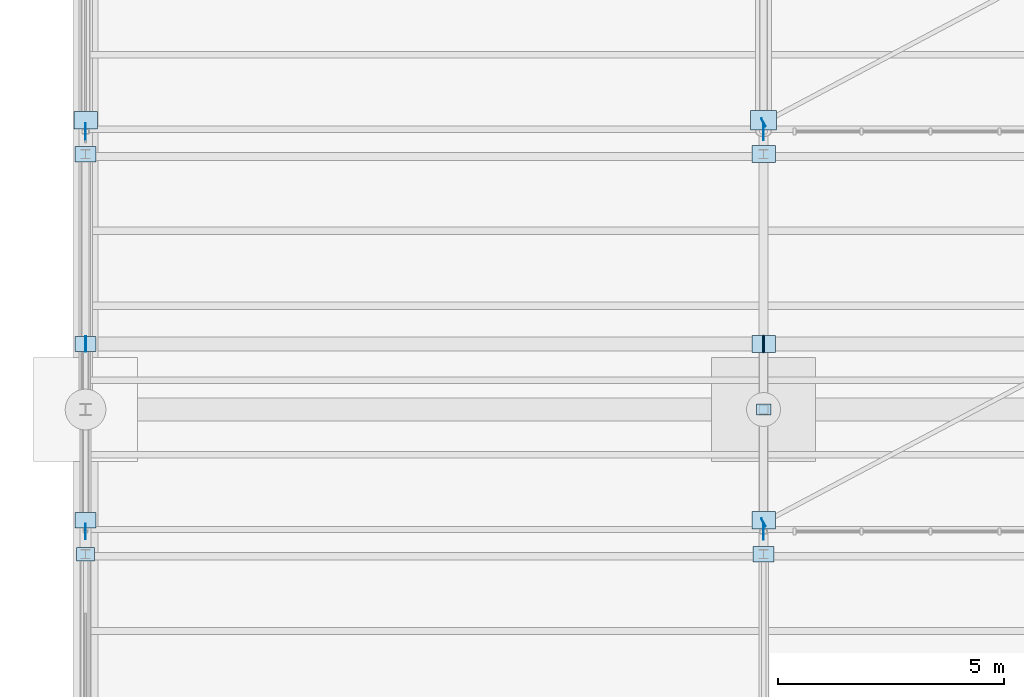
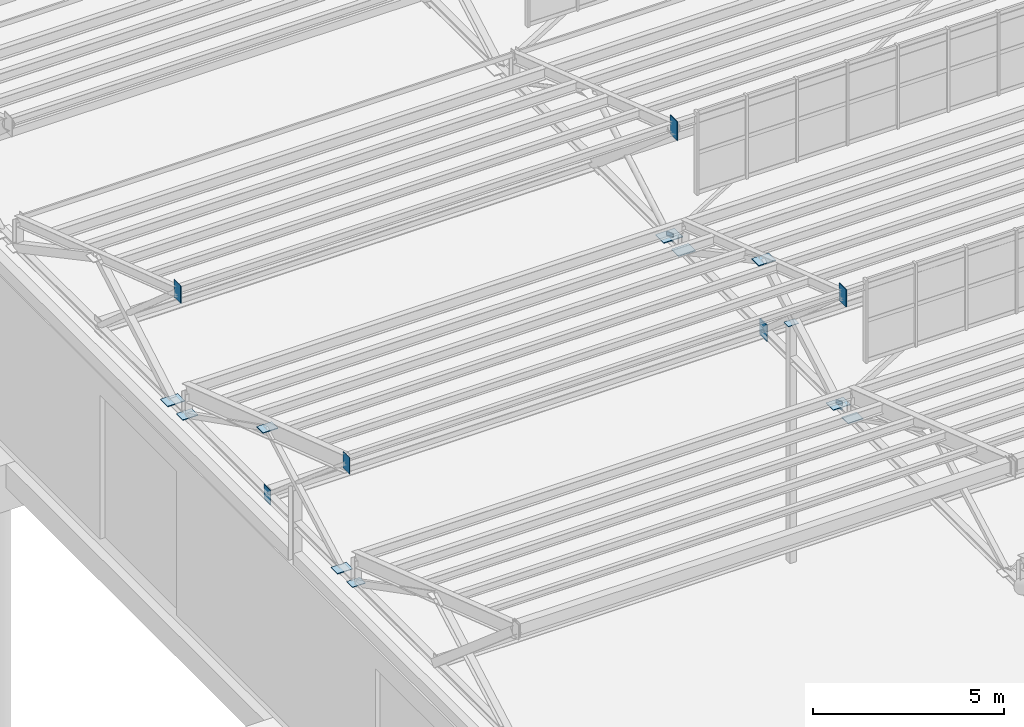
# One storey, part 196 of 285: 19 plates.
"""IFC4 building model written with IfcOpenShell, lengths in metres."""

from ifc_helpers import new_model, si_unit, direction, frame, origin, origin_2d, place, context, subcontext, project, spatial, rectangle, extrude, material, layer, layer_set, type_object, element, save


model = new_model("IFC4")

# Units and contexts
model_context = context("Model", 3, precision=1e-05, world=origin(), true_north=direction((0.0, 1.0)))
body_context = subcontext(model_context, "Body", "Model", "MODEL_VIEW")
ifc_project = project(units=[si_unit("LENGTHUNIT", "METRE"), si_unit("AREAUNIT", "SQUARE_METRE"), si_unit("VOLUMEUNIT", "CUBIC_METRE"), si_unit("PLANEANGLEUNIT", "RADIAN"), si_unit("MASSUNIT", "GRAM", prefix="KILO")], contexts=[model_context])

# Site, building, storey
site_placement = place(None, origin())
site = spatial("IfcSite", under=ifc_project, at=site_placement, CompositionType="ELEMENT")
building_placement = place(site_placement, origin())
building = spatial("IfcBuilding", under=site, at=building_placement, Name="Solanera Park Tramway Depot", CompositionType="ELEMENT")
storey_placement = place(building_placement, origin())
storey = spatial("IfcBuildingStorey", under=building, at=storey_placement, Name="L00", CompositionType="ELEMENT", Elevation=0.0)

# Plates
ifc_material_1 = material(Name="Steel AS/NZS 3679.1 Grade 350", Category="steel")
ifc_layer_1 = layer(ifc_material_1, 0.013916015625)
ifc_layer_set_1 = layer_set([ifc_layer_1], Name="Steel AS/NZS 3679.1 Grade 350")
plate_type_1 = type_object("IfcPlateType", Name="Hollow End Cap and Base Plate 280x200x14", PredefinedType="USERDEFINED", material=ifc_layer_set_1)
for number, where, z_axis, x_axis, name in (
    (1, (14.999267578125, 82.49853515625, 6.35986328125), (0.0, 0.0, 1.0), (0.883520501477, 0.468392488698, 0.0), "Hollow Section Welded End Cap Plate #0410"),
    (2, (14.999267578125, 91.3486328125, 6.35986328125), (0.0, 0.0, 1.0), (0.883520501477, 0.468392488698, 0.0), "Hollow Section Welded End Cap Plate #0503"),
):
    element("IfcPlate", number, at=place(storey_placement, frame(where, z_axis=z_axis, x_axis=x_axis)), inside=storey, type_object=plate_type_1, Name=name, ObjectType="BASE PLATE", PredefinedType="USERDEFINED", context=body_context, shape_type="SweptSolid", body=[
        extrude(rectangle(XDim=0.013916015625, YDim=0.199951171875, at=origin_2d()), origin(), (0.0, 0.0, 1.0), 0.280029296875),
    ])
ifc_material_2 = material(Name="Steel AS/NZS 3679.1 Grade 350", Category="steel")
ifc_layer_2 = layer(ifc_material_2, 0.01611328125)
ifc_layer_set_2 = layer_set([ifc_layer_2], Name="Steel AS/NZS 3679.1 Grade 350")
plate_type_2 = type_object("IfcPlateType", Name="Hollow End Cap and Base Plate 320x240x16", PredefinedType="USERDEFINED", material=ifc_layer_set_2)
plate_1_placement = place(storey_placement, frame((15.0, 85.0, 7.595947265625), z_axis=(0.0, 0.0, 1.0), x_axis=(1.0, 0.0, 0.0)))
element("IfcPlate", 3, at=plate_1_placement, inside=storey, type_object=plate_type_2, Name="Hollow Column Sealed Cap Plate #0013", ObjectType="BASE PLATE", PredefinedType="USERDEFINED", context=body_context, shape_type="SweptSolid", body=[
    extrude(rectangle(XDim=0.320068359375, YDim=0.239990234375, at=origin_2d()), origin(), (0.0, 0.0, 1.0), 0.01611328125),
])
ifc_material_3 = material(Name="Steel AS/NZS 3679.1 Grade 350", Category="steel")
ifc_layer_3 = layer(ifc_material_3, 0.02001953125)
ifc_layer_set_3 = layer_set([ifc_layer_3], Name="Steel AS/NZS 3679.1 Grade 350")
plate_type_3 = type_object("IfcPlateType", Name="Hollow End Cap and Base Plate 400x300x20", PredefinedType="USERDEFINED", material=ifc_layer_set_3)
plate_2_placement = place(storey_placement, frame((0.0, 81.800048828125, 6.489990234375), z_axis=(0.0, 0.0, 1.0), x_axis=(1.0, 0.0, 0.0)))
element("IfcPlate", 4, at=plate_2_placement, inside=storey, type_object=plate_type_3, Name="Sawtooth Truss Node Cap Plate #0268", ObjectType="BASE PLATE", PredefinedType="USERDEFINED", context=body_context, shape_type="SweptSolid", body=[
    extrude(rectangle(XDim=0.39990234375, YDim=0.300048828125, at=origin_2d()), origin(), (0.0, 0.0, 1.0), 0.02001953125),
])
ifc_material_4 = material(Name="Steel AS/NZS 3679.1 Grade 350", Category="steel")
ifc_layer_4 = layer(ifc_material_4, 0.02197265625)
ifc_layer_set_4 = layer_set([ifc_layer_4], Name="Steel AS/NZS 3679.1 Grade 350")
plate_type_4 = type_object("IfcPlateType", Name="Hollow End Cap and Base Plate 460x340x22", PredefinedType="USERDEFINED", material=ifc_layer_set_4)
plate_3_placement = place(storey_placement, frame((15.0, 81.800048828125, 6.489013671875), z_axis=(0.0, 0.0, 1.0), x_axis=(1.0, 0.0, 0.0)))
element("IfcPlate", 5, at=plate_3_placement, inside=storey, type_object=plate_type_4, Name="Sawtooth Truss Node Cap Plate #0273", ObjectType="BASE PLATE", PredefinedType="USERDEFINED", context=body_context, shape_type="SweptSolid", body=[
    extrude(rectangle(XDim=0.4599609375, YDim=0.340087890625, at=origin_2d()), origin(), (0.0, 0.0, 1.0), 0.02197265625),
])
plate_4_placement = place(storey_placement, frame((0.0, 86.449951171875, 6.27001953125), z_axis=(0.0, 0.0, 1.0), x_axis=(1.0, 0.0, 0.0)))
element("IfcPlate", 6, at=plate_4_placement, inside=storey, type_object=plate_type_4, Name="Sawtooth Truss Hollow End Cap #0356", ObjectType="BASE PLATE", PredefinedType="USERDEFINED", context=body_context, shape_type="SweptSolid", body=[
    extrude(rectangle(XDim=0.02197265625, YDim=0.340087890625, at=origin_2d()), origin(), (0.0, 0.0, 1.0), 0.4599609375),
])
for number, where, z_axis, x_axis, name in (
    (7, (0.0, 90.64990234375, 6.489013671875), (0.0, 0.0, 1.0), (1.0, 0.0, 0.0), "Sawtooth Truss Node Cap Plate #0357"),
    (8, (0.0, 86.449951171875, 8.61865234375), (0.0, 0.0, 1.0), (1.0, 0.0, 0.0), "Sawtooth Truss Node Cap Plate #0358"),
    (9, (0.0, 82.550048828125, 6.489013671875), (0.0, 0.0, 1.0), (1.0, 0.0, 0.0), "Sawtooth Truss Node Cap Plate #0359"),
):
    element("IfcPlate", number, at=place(storey_placement, frame(where, z_axis=z_axis, x_axis=x_axis)), inside=storey, type_object=plate_type_4, Name=name, ObjectType="BASE PLATE", PredefinedType="USERDEFINED", context=body_context, shape_type="SweptSolid", body=[
        extrude(rectangle(XDim=0.4599609375, YDim=0.340087890625, at=origin_2d()), origin(), (0.0, 0.0, 1.0), 0.02197265625),
    ])
ifc_material_5 = material(Name="Steel AS/NZS 3679.1 Grade 350", Category="steel")
ifc_layer_5 = layer(ifc_material_5, 0.02490234375)
ifc_layer_set_5 = layer_set([ifc_layer_5], Name="Steel AS/NZS 3679.1 Grade 350")
plate_type_5 = type_object("IfcPlateType", Name="Hollow End Cap and Base Plate 520x380x25", PredefinedType="USERDEFINED", material=ifc_layer_set_5)
plate_5_placement = place(storey_placement, frame((15.0, 86.449951171875, 6.239990234375), z_axis=(0.0, 0.0, 1.0), x_axis=(1.0, 0.0, 0.0)))
element("IfcPlate", 10, at=plate_5_placement, inside=storey, type_object=plate_type_5, Name="Sawtooth Truss Hollow End Cap #0361", ObjectType="BASE PLATE", PredefinedType="USERDEFINED", context=body_context, shape_type="SweptSolid", body=[
    extrude(rectangle(XDim=0.02490234375, YDim=0.3798828125, at=origin_2d()), origin(), (0.0, 0.0, 1.0), 0.52001953125),
])
for number, where, z_axis, x_axis, name in (
    (11, (15.0, 90.64990234375, 6.487548828125), (0.0, 0.0, 1.0), (1.0, 0.0, 0.0), "Sawtooth Truss Node Cap Plate #0362"),
    (12, (15.0, 86.449951171875, 8.730224609375), (0.0, 0.0, 1.0), (1.0, 0.0, 0.0), "Sawtooth Truss Node Cap Plate #0363"),
    (13, (15.0, 82.550048828125, 6.487548828125), (0.0, 0.0, 1.0), (1.0, 0.0, 0.0), "Sawtooth Truss Node Cap Plate #0364"),
    (14, (0.0, 91.39990234375, 6.487548828125), (0.0, 0.0, 1.0), (1.0, 0.0, 0.0), "Sawtooth Truss Node Cap Plate #0430"),
):
    element("IfcPlate", number, at=place(storey_placement, frame(where, z_axis=z_axis, x_axis=x_axis)), inside=storey, type_object=plate_type_5, Name=name, ObjectType="BASE PLATE", PredefinedType="USERDEFINED", context=body_context, shape_type="SweptSolid", body=[
        extrude(rectangle(XDim=0.52001953125, YDim=0.3798828125, at=origin_2d()), origin(), (0.0, 0.0, 1.0), 0.02490234375),
    ])
ifc_material_6 = material(Name="Steel AS/NZS 3679.1 Grade 350", Category="steel")
ifc_layer_6 = layer(ifc_material_6, 0.028076171875)
ifc_layer_set_6 = layer_set([ifc_layer_6], Name="Steel AS/NZS 3679.1 Grade 350")
plate_type_6 = type_object("IfcPlateType", Name="Hollow End Cap and Base Plate 580x440x28", PredefinedType="USERDEFINED", material=ifc_layer_set_6)
plate_6_placement = place(storey_placement, frame((15.0, 91.39990234375, 6.48583984375), z_axis=(0.0, 0.0, 1.0), x_axis=(1.0, 0.0, 0.0)))
element("IfcPlate", 15, at=plate_6_placement, inside=storey, type_object=plate_type_6, Name="Sawtooth Truss Node Cap Plate #0435", ObjectType="BASE PLATE", PredefinedType="USERDEFINED", context=body_context, shape_type="SweptSolid", body=[
    extrude(rectangle(XDim=0.580078125, YDim=0.43994140625, at=origin_2d()), origin(), (0.0, 0.0, 1.0), 0.028076171875),
])
ifc_material_7 = material(Name="Steel AS/NZS 3679.1 Grade 350", Category="steel")
ifc_layer_7 = layer(ifc_material_7, 0.01806640625)
ifc_layer_set_7 = layer_set([ifc_layer_7], Name="Steel AS/NZS 3679.1 Grade 350")
plate_type_7 = type_object("IfcPlateType", Name="Truss Node Gusset Stiffener 520x340x18", PredefinedType="SHEET", material=ifc_layer_set_7)
plate_7_placement = place(storey_placement, frame((0.0, 82.300048828125, 9.75830078125), z_axis=(0.0, 0.0, 1.0), x_axis=(1.0, 0.0, 0.0)))
element("IfcPlate", 16, at=plate_7_placement, inside=storey, type_object=plate_type_7, Name="Sawtooth Truss Apex Gusset Plate #0355", PredefinedType="SHEET", context=body_context, shape_type="SweptSolid", body=[
    extrude(rectangle(XDim=0.01806640625, YDim=0.340087890625, at=origin_2d()), origin(), (0.0, 0.0, 1.0), 0.52001953125),
])
ifc_material_8 = material(Name="Steel AS/NZS 3679.1 Grade 350", Category="steel")
ifc_layer_8 = layer(ifc_material_8, 0.02001953125)
ifc_layer_set_8 = layer_set([ifc_layer_8], Name="Steel AS/NZS 3679.1 Grade 350")
plate_type_8 = type_object("IfcPlateType", Name="Truss Node Gusset Stiffener 560x360x20", PredefinedType="SHEET", material=ifc_layer_set_8)
for number, where, z_axis, x_axis, name in (
    (17, (15.0, 82.300048828125, 9.85107421875), (0.0, 0.0, 1.0), (1.0, 0.0, 0.0), "Sawtooth Truss Apex Gusset Plate #0360"),
    (18, (0.0, 91.14990234375, 9.85107421875), (0.0, 0.0, 1.0), (1.0, 0.0, 0.0), "Sawtooth Truss Apex Gusset Plate #0426"),
):
    element("IfcPlate", number, at=place(storey_placement, frame(where, z_axis=z_axis, x_axis=x_axis)), inside=storey, type_object=plate_type_8, Name=name, PredefinedType="SHEET", context=body_context, shape_type="SweptSolid", body=[
        extrude(rectangle(XDim=0.02001953125, YDim=0.360107421875, at=origin_2d()), origin(), (0.0, 0.0, 1.0), 0.56005859375),
    ])
ifc_material_9 = material(Name="Steel AS/NZS 3679.1 Grade 350", Category="steel")
ifc_layer_9 = layer(ifc_material_9, 0.02001953125)
ifc_layer_set_9 = layer_set([ifc_layer_9], Name="Steel AS/NZS 3679.1 Grade 350")
plate_type_9 = type_object("IfcPlateType", Name="Truss Node Gusset Stiffener 600x380x20", PredefinedType="SHEET", material=ifc_layer_set_9)
plate_8_placement = place(storey_placement, frame((15.0, 91.14990234375, 9.806884765625), z_axis=(0.0, 0.0, 1.0), x_axis=(1.0, 0.0, 0.0)))
element("IfcPlate", 19, at=plate_8_placement, inside=storey, type_object=plate_type_9, Name="Sawtooth Truss Apex Gusset Plate #0431", PredefinedType="SHEET", context=body_context, shape_type="SweptSolid", body=[
    extrude(rectangle(XDim=0.02001953125, YDim=0.3798828125, at=origin_2d()), origin(), (0.0, 0.0, 1.0), 0.60009765625),
])

save(model, "model.ifc")
